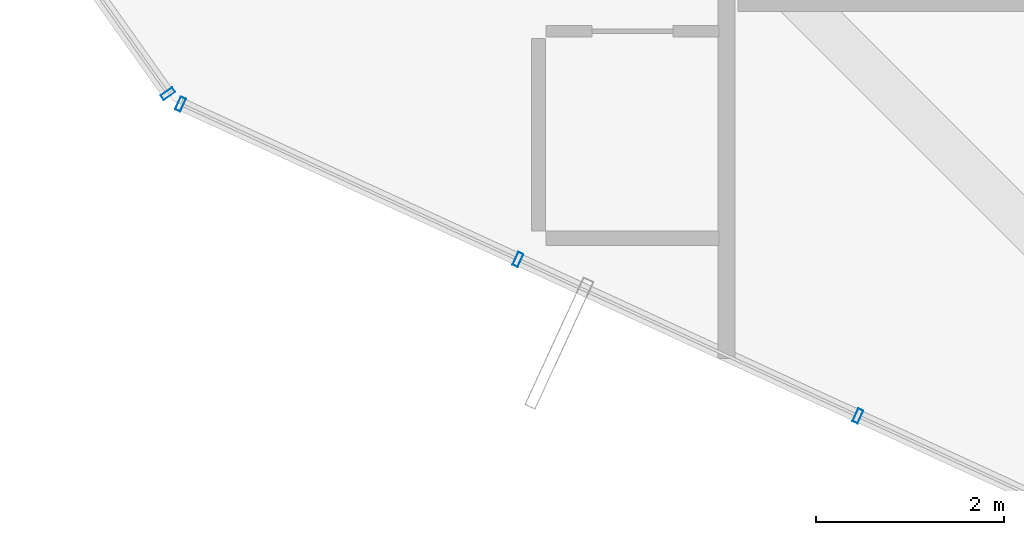
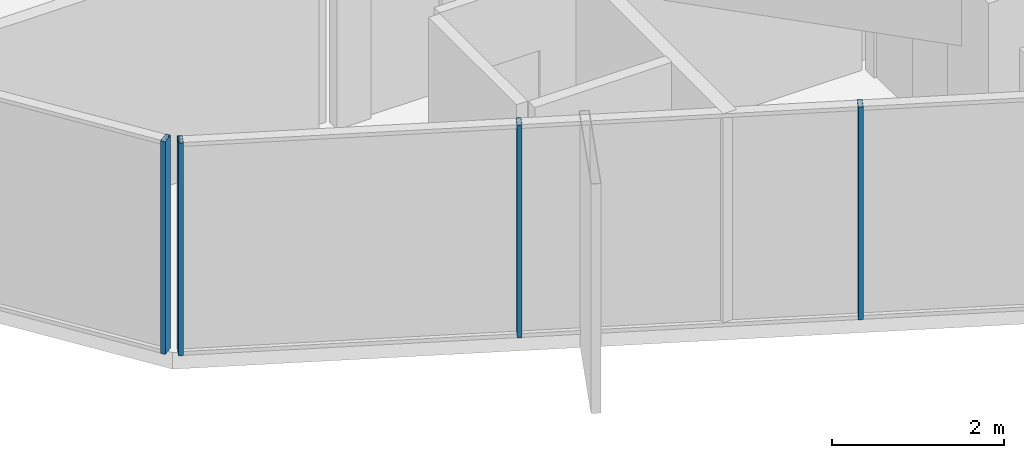
# One storey, part 2 of 32: 4 members, 2 elements without a shape of their own.
"""IFC4 building model written with IfcOpenShell, lengths in metres."""

from ifc_helpers import new_model, si_unit, direction, frame, origin, origin_2d, place, context, subcontext, project, spatial, hollow_rectangle, extrude, source, transform, mapped, material, layer, layer_set, material_profile, profile_set, type_object, element, aggregate, save


model = new_model("IFC4")

# Units and contexts
model_context = context("Model", 3, precision=1e-05, world=origin(), true_north=direction((0.0, 1.0)))
body_context = subcontext(model_context, "Body", "Model", "MODEL_VIEW")
ifc_project = project(units=[si_unit("LENGTHUNIT", "METRE"), si_unit("AREAUNIT", "SQUARE_METRE"), si_unit("VOLUMEUNIT", "CUBIC_METRE"), si_unit("PLANEANGLEUNIT", "RADIAN"), si_unit("MASSUNIT", "GRAM", prefix="KILO")], contexts=[model_context])

# Site, building, storey
site_placement = place(None, origin())
site = spatial("IfcSite", under=ifc_project, at=site_placement, CompositionType="ELEMENT")
building_placement = place(site_placement, origin())
building = spatial("IfcBuilding", under=site, at=building_placement, Name="Veraguas Prism Commons", CompositionType="ELEMENT")
storey_placement = place(building_placement, frame((0.0, 0.0, 188.60009765625)))
storey = spatial("IfcBuildingStorey", under=building, at=storey_placement, Name="L53", CompositionType="ELEMENT", Elevation=188.60009765625)

# Curtain wall, members
ifc_material = material(Name="Anodised aluminium EN AW-6063 T6", Category="aluminium")
ifc_layer = layer(ifc_material, 0.14990234375, Name="Unitised Flush Curtain Wall Zone 3", Category="aluminium")
ifc_layer_set = layer_set([ifc_layer], Name="Anodised aluminium EN AW-6063 T6")
curtain_wall_type = type_object("IfcCurtainWallType", Name="Unitised Flush Curtain Wall Zone 3", PredefinedType="NOTDEFINED", material=ifc_layer_set)
curtain_wall_1_placement = place(storey_placement, origin())
curtain_wall_1 = element("IfcCurtainWall", 1, at=curtain_wall_1_placement, inside=storey, type_object=curtain_wall_type, Name="Tower Facade Curtain Wall L53-F4", PredefinedType="NOTDEFINED")
ifc_material_profile = material_profile(ifc_material, hollow_rectangle(XDim=0.06005859375, YDim=0.14990234375, WallThickness=0.0029296875, at=origin_2d()), Name="AL60X150X3")
ifc_profile_set = profile_set([ifc_material_profile], Name="Anodised aluminium EN AW-6063 T6")
member_type = type_object("IfcMemberType", Name="Curtain Wall Mullion Upper AL 60x150x3", PredefinedType="MULLION", material=ifc_profile_set)
shared_shape = source(origin(), body_context, "Body", "SweptSolid", [
    extrude(hollow_rectangle(XDim=0.06005859375, YDim=0.14990234375, WallThickness=0.0029296875, at=origin_2d()), origin(), (0.0, 0.0, 1.0), 3.014892578125),
])
member_1_placement = place(storey_placement, frame((9.3984375, 11.225341796875, 0.0), z_axis=(0.0, 0.0, 1.0), x_axis=(0.908361529184, -0.418185762907, 0.0)))
member_1 = element("IfcMember", 2, at=member_1_placement, type_object=member_type, Name="CW-Z3 Mullion 1", PredefinedType="MULLION", context=body_context, shape_type="MappedRepresentation", body=[
    mapped(shared_shape, transform((0.0, 0.0, 0.0), scale=1.0)),
])
member_2_placement = place(storey_placement, frame((12.982666015625, 9.5751953125, 0.0), z_axis=(0.0, 0.0, 1.0), x_axis=(0.908361529184, -0.418185762907, 0.0)))
member_2 = element("IfcMember", 3, at=member_2_placement, type_object=member_type, Name="CW-Z3 Mullion 2", PredefinedType="MULLION", context=body_context, shape_type="MappedRepresentation", body=[
    mapped(shared_shape, transform((0.0, 0.0, 0.0), scale=1.0)),
])
member_3_placement = place(storey_placement, frame((16.593994140625, 7.91259765625, 0.0), z_axis=(0.0, 0.0, 1.0), x_axis=(0.908361529184, -0.418185762907, 0.0)))
member_3 = element("IfcMember", 4, at=member_3_placement, type_object=member_type, Name="CW-Z3 Mullion 3", PredefinedType="MULLION", context=body_context, shape_type="MappedRepresentation", body=[
    mapped(shared_shape, transform((0.0, 0.0, 0.0), scale=1.0)),
])
aggregate(curtain_wall_1, [member_1, member_2, member_3])

# Curtain wall, member
curtain_wall_2_placement = place(storey_placement, origin())
curtain_wall_2 = element("IfcCurtainWall", 5, at=curtain_wall_2_placement, inside=storey, type_object=curtain_wall_type, Name="Chamfer Curtain Wall L53-C4", PredefinedType="NOTDEFINED")
member_4_placement = place(storey_placement, frame((9.264892578125, 11.33642578125, 0.0), z_axis=(0.0, 0.0, 1.0), x_axis=(0.577579827304, -0.816334210413, 0.0)))
member_4 = element("IfcMember", 6, at=member_4_placement, type_object=member_type, Name="CW-Z3 Mullion 2", PredefinedType="MULLION", context=body_context, shape_type="MappedRepresentation", body=[
    mapped(shared_shape, transform((0.0, 0.0, 0.0), scale=1.0)),
])
aggregate(curtain_wall_2, [member_4])

save(model, "model.ifc")
